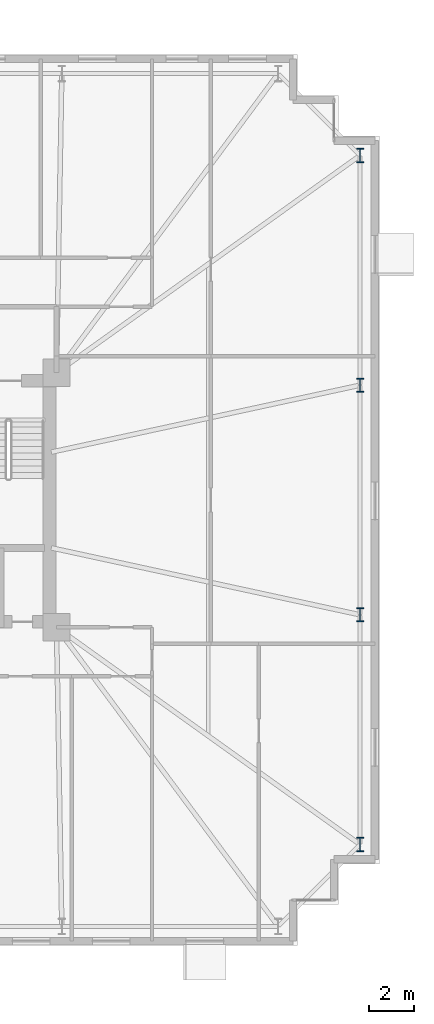
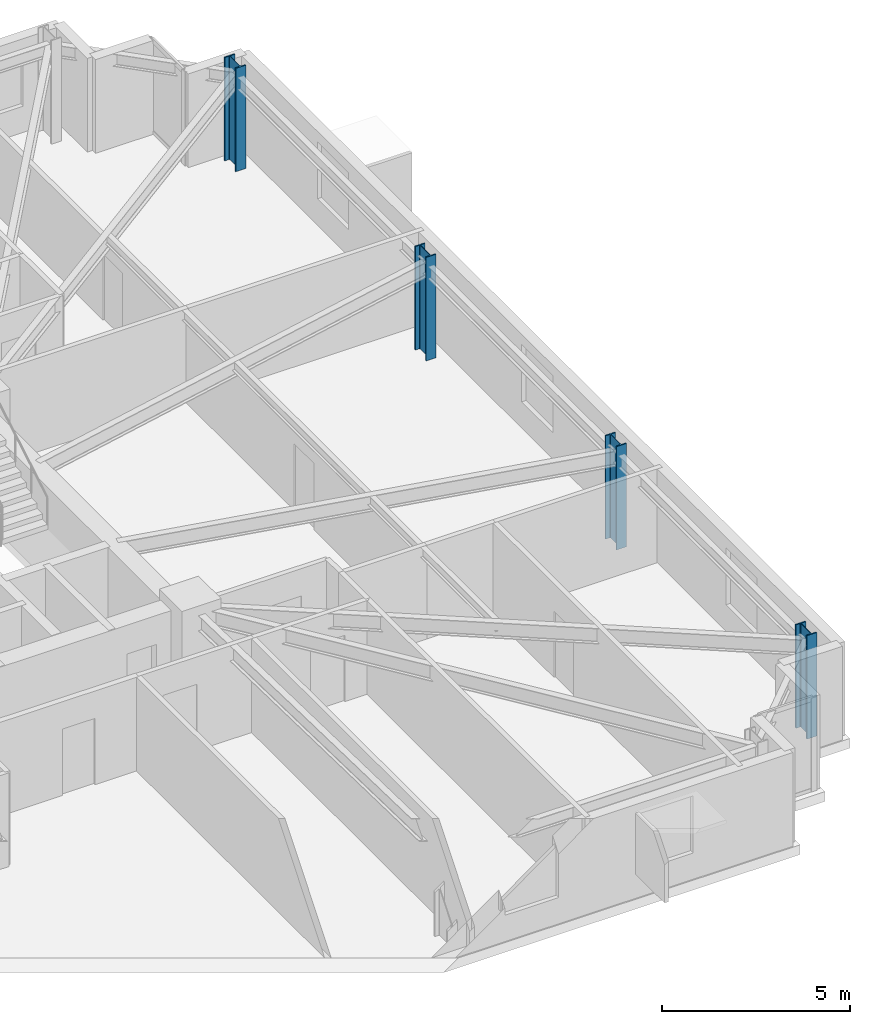
# One storey, part 3 of 21: 4 columns.
"""IFC4 building model written with IfcOpenShell, lengths in metres."""

from ifc_helpers import new_model, si_unit, direction, frame, origin, origin_2d, place, context, subcontext, project, spatial, i_section, extrude, material, material_profile, profile_set, type_object, element, save


model = new_model("IFC4")

# Units and contexts
model_context = context("Model", 3, precision=1e-05, world=origin(), true_north=direction((0.0, 1.0)))
body_context = subcontext(model_context, "Body", "Model", "MODEL_VIEW")
ifc_project = project(units=[si_unit("LENGTHUNIT", "METRE"), si_unit("AREAUNIT", "SQUARE_METRE"), si_unit("VOLUMEUNIT", "CUBIC_METRE"), si_unit("PLANEANGLEUNIT", "RADIAN"), si_unit("MASSUNIT", "GRAM", prefix="KILO")], contexts=[model_context])

# Site, building, storey
site_placement = place(None, origin())
site = spatial("IfcSite", under=ifc_project, at=site_placement, CompositionType="ELEMENT")
building_placement = place(site_placement, origin())
building = spatial("IfcBuilding", under=site, at=building_placement, Name="Qobustan Lattice House", CompositionType="ELEMENT")
storey_placement = place(building_placement, frame((0.0, 0.0, 37.050048828125)))
storey = spatial("IfcBuildingStorey", under=building, at=storey_placement, Name="L09", CompositionType="ELEMENT", Elevation=37.050048828125)

# Columns
ifc_material = material(Name="Steel S460", Category="steel")
ifc_material_profile = material_profile(ifc_material, i_section(OverallWidth=0.304931640625, OverallDepth=0.6201171875, WebThickness=0.02099609375, FlangeThickness=0.0400390625, FilletRadius=0.027099609375, at=origin_2d()), Name="HEM600")
ifc_profile_set = profile_set([ifc_material_profile], Name="Steel S460")
column_type = type_object("IfcColumnType", Name="COL-ST-HEM600", PredefinedType="COLUMN", material=ifc_profile_set)
for number, where, z_axis, x_axis, name in (
    (1, (32.14990234375, -15.14990234375, 0.0), (0.0, 0.0, 1.0), (1.0, 0.0, 0.0), "L09 B1 perimeter column E1"),
    (2, (32.14990234375, -5.050048828125, 0.0), (0.0, 0.0, 1.0), (1.0, 0.0, 0.0), "L09 B1 perimeter column E2"),
    (3, (32.14990234375, 5.050048828125, 0.0), (0.0, 0.0, 1.0), (1.0, 0.0, 0.0), "L09 B1 perimeter column E3"),
    (4, (32.14990234375, 15.14990234375, 0.0), (0.0, 0.0, 1.0), (1.0, 0.0, 0.0), "L09 B1 perimeter column E4"),
):
    element("IfcColumn", number, at=place(storey_placement, frame(where, z_axis=z_axis, x_axis=x_axis)), inside=storey, type_object=column_type, Name=name, PredefinedType="COLUMN", context=body_context, shape_type="SweptSolid", body=[
        extrude(i_section(OverallWidth=0.304931640625, OverallDepth=0.6201171875, WebThickness=0.02099609375, FlangeThickness=0.0400390625, FilletRadius=0.027099609375, at=origin_2d()), origin(), (0.0, 0.0, 1.0), 3.349853515625),
    ])

save(model, "model.ifc")
